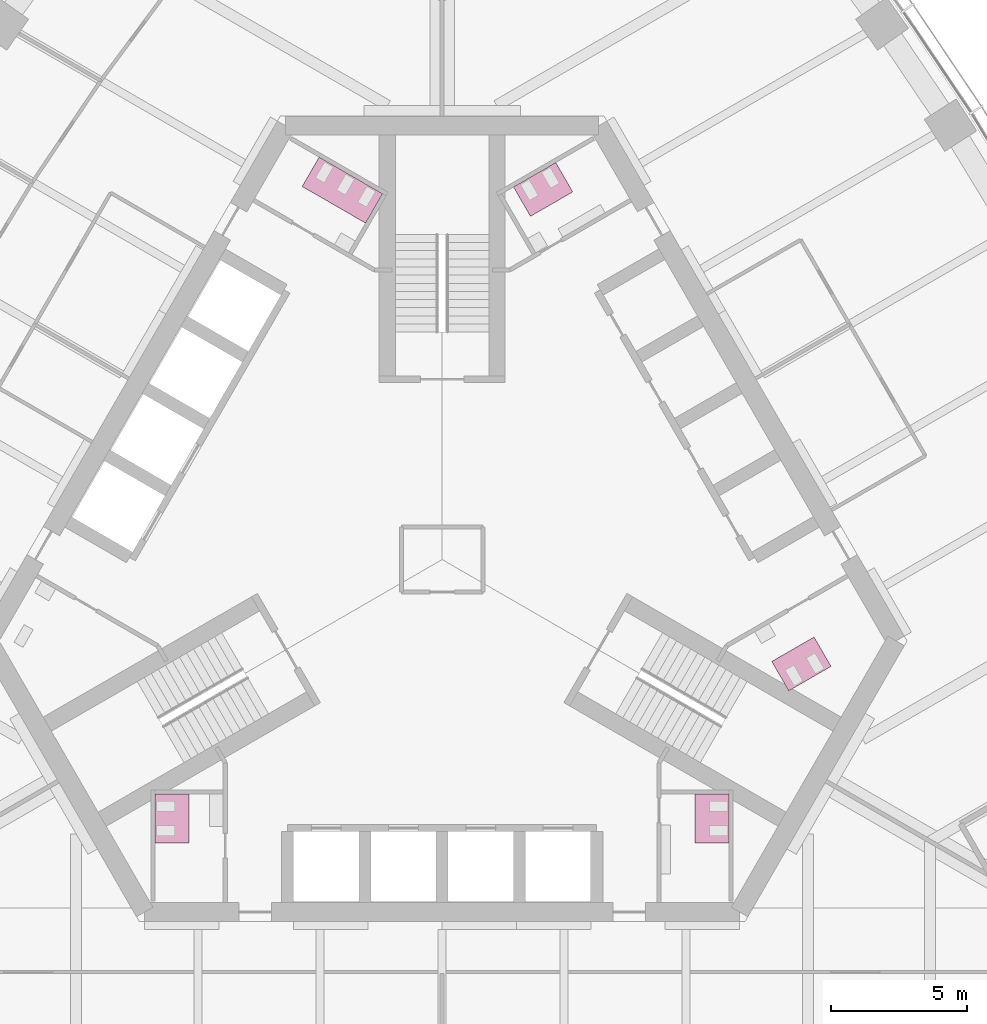
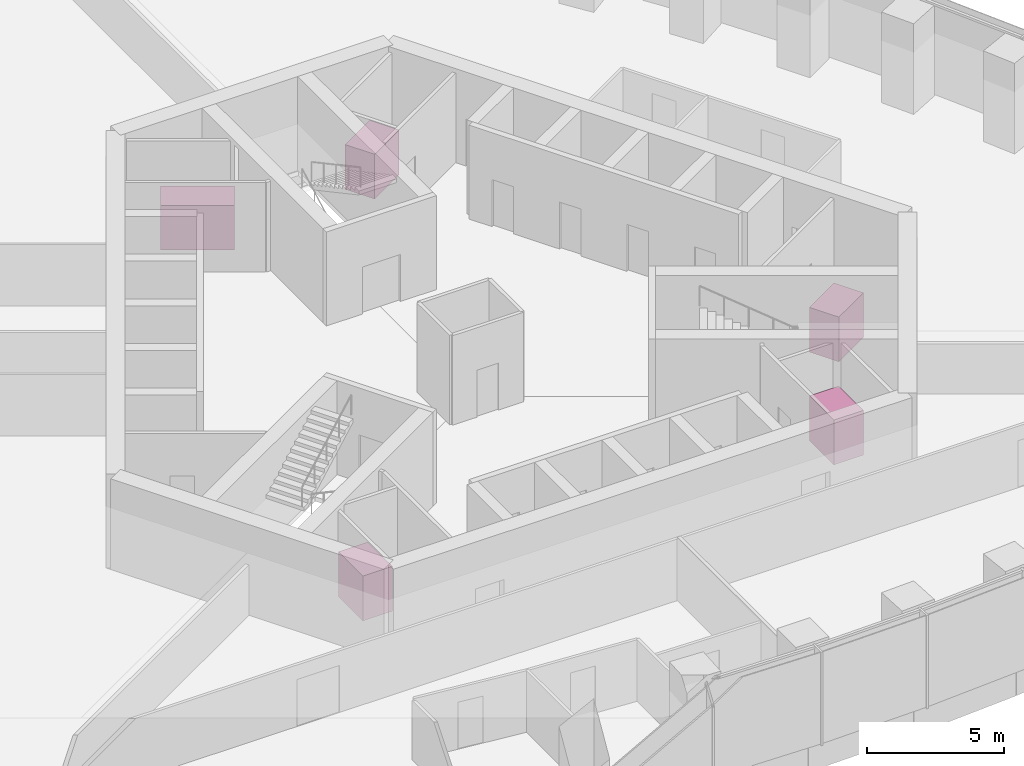
# One storey, part 19 of 19: 5 furniture elements.
"""IFC4 building model written with IfcOpenShell, lengths in metres."""

from ifc_helpers import new_model, si_unit, direction, frame, origin, place, context, subcontext, project, spatial, polyline, outline, extrude, material, type_object, element, save


model = new_model("IFC4")

# Units and contexts
model_context = context("Model", 3, precision=1e-05, world=origin(), true_north=direction((0.0, 1.0)))
body_context = subcontext(model_context, "Body", "Model", "MODEL_VIEW")
ifc_project = project(units=[si_unit("LENGTHUNIT", "METRE"), si_unit("AREAUNIT", "SQUARE_METRE"), si_unit("VOLUMEUNIT", "CUBIC_METRE"), si_unit("PLANEANGLEUNIT", "RADIAN"), si_unit("MASSUNIT", "GRAM", prefix="KILO")], contexts=[model_context])

# Site, building, storey
site_placement = place(None, origin())
site = spatial("IfcSite", under=ifc_project, at=site_placement, CompositionType="ELEMENT")
building_placement = place(site_placement, origin())
building = spatial("IfcBuilding", under=site, at=building_placement, Name="Trefoil Bronze Tower", CompositionType="ELEMENT")
storey_placement = place(building_placement, frame((0.0, 0.0, 244.300048828125)))
storey = spatial("IfcBuildingStorey", under=building, at=storey_placement, Name="L56", CompositionType="ELEMENT", Elevation=244.300048828125)

# Furniture
ifc_material_1 = material(Name="Compact laminate cubicles", Category="plastic")
furniture_type_1 = type_object("IfcFurnitureType", Name="WC cubicle range 2 cubicles", AssemblyPlace="FACTORY", PredefinedType="USERDEFINED", material=ifc_material_1)
furniture_1_placement = place(storey_placement, origin())
element("IfcFurniture", 1, at=furniture_1_placement, inside=storey, type_object=furniture_type_1, Name="WC cubicle range WC (men) L56", ObjectType="WC cubicle range", PredefinedType="USERDEFINED", context=body_context, shape_type="SweptSolid", body=[
    extrude(outline(polyline([(9.3349609375, -8.64990234375), (10.5849609375, -8.64990234375), (10.5849609375, -10.449951171875), (9.3349609375, -10.449951171875), (9.3349609375, -8.64990234375)])), origin(), (0.0, 0.0, 1.0), 2.0),
])
furniture_2_placement = place(storey_placement, origin())
element("IfcFurniture", 2, at=furniture_2_placement, inside=storey, type_object=furniture_type_1, Name="WC cubicle range WC (women) L56", ObjectType="WC cubicle range", PredefinedType="USERDEFINED", context=body_context, shape_type="SweptSolid", body=[
    extrude(outline(polyline([(12.15869140625, -3.75927734375), (12.78369140625, -4.841796875), (14.342529296875, -3.94189453125), (13.717529296875, -2.859375), (12.15869140625, -3.75927734375)])), origin(), (0.0, 0.0, 1.0), 2.0),
])
furniture_3_placement = place(storey_placement, origin())
element("IfcFurniture", 3, at=furniture_3_placement, inside=storey, type_object=furniture_type_1, Name="WC cubicle range WC (men) L56", ObjectType="WC cubicle range", PredefinedType="USERDEFINED", context=body_context, shape_type="SweptSolid", body=[
    extrude(outline(polyline([(3.256591796875, 12.659423828125), (2.631591796875, 13.741943359375), (4.1904296875, 14.641845703125), (4.8154296875, 13.559326171875), (3.256591796875, 12.659423828125)])), origin(), (0.0, 0.0, 1.0), 2.0),
])
furniture_4_placement = place(storey_placement, origin())
element("IfcFurniture", 4, at=furniture_4_placement, inside=storey, type_object=furniture_type_1, Name="WC cubicle range WC (women) L56", ObjectType="WC cubicle range", PredefinedType="USERDEFINED", context=body_context, shape_type="SweptSolid", body=[
    extrude(outline(polyline([(-9.3349609375, -8.64990234375), (-10.5849609375, -8.64990234375), (-10.5849609375, -10.449951171875), (-9.3349609375, -10.449951171875), (-9.3349609375, -8.64990234375)])), origin(), (0.0, 0.0, 1.0), 2.0),
])
ifc_material_2 = material(Name="Compact laminate cubicles", Category="plastic")
furniture_type_2 = type_object("IfcFurnitureType", Name="WC cubicle range 3 cubicles", AssemblyPlace="FACTORY", PredefinedType="USERDEFINED", material=ifc_material_2)
furniture_5_placement = place(storey_placement, origin())
element("IfcFurniture", 5, at=furniture_5_placement, inside=storey, type_object=furniture_type_2, Name="WC cubicle range WC (women) L56", ObjectType="WC cubicle range", PredefinedType="USERDEFINED", context=body_context, shape_type="SweptSolid", body=[
    extrude(outline(polyline([(-2.82373046875, 12.409423828125), (-2.19873046875, 13.491943359375), (-4.536865234375, 14.841796875), (-5.161865234375, 13.75927734375), (-2.82373046875, 12.409423828125)])), origin(), (0.0, 0.0, 1.0), 2.0),
])

save(model, "model.ifc")
